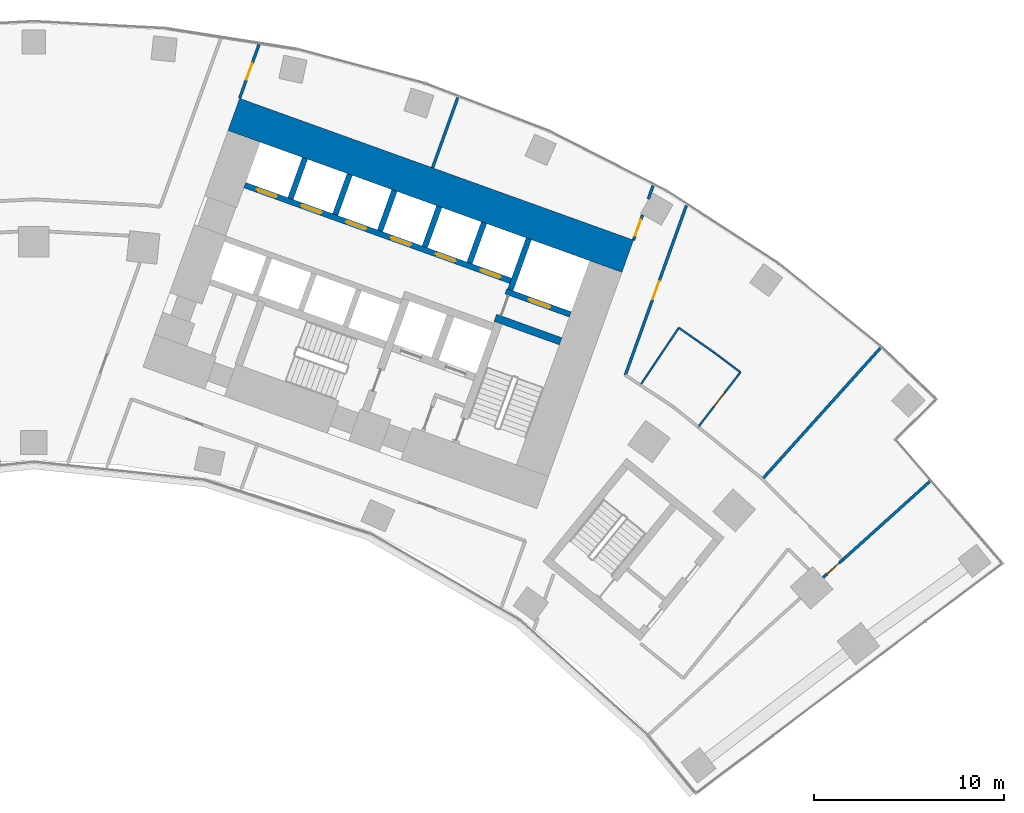
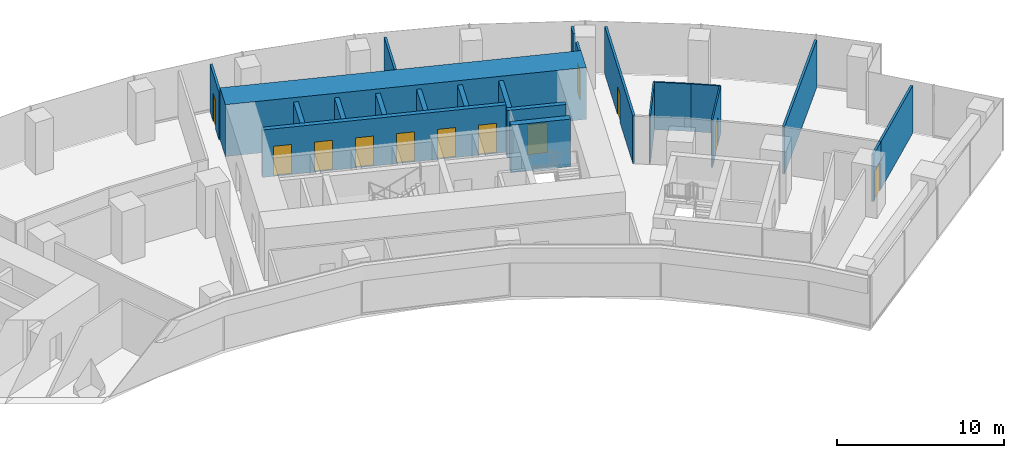
# One storey, part 18 of 21: 22 walls, 12 doors, 12 openings.
"""IFC4 building model written with IfcOpenShell, lengths in metres."""

from ifc_helpers import new_model, si_unit, direction, frame, frame_2d, origin, place, context, subcontext, project, spatial, rectangle, extrude, material, layer, layer_set, type_object, element, fill, save


model = new_model("IFC4")

# Units and contexts
model_context = context("Model", 3, precision=1e-05, world=origin(), true_north=direction((0.0, 1.0)))
body_context = subcontext(model_context, "Body", "Model", "MODEL_VIEW")
ifc_project = project(units=[si_unit("LENGTHUNIT", "METRE"), si_unit("AREAUNIT", "SQUARE_METRE"), si_unit("VOLUMEUNIT", "CUBIC_METRE"), si_unit("PLANEANGLEUNIT", "RADIAN"), si_unit("MASSUNIT", "GRAM", prefix="KILO")], contexts=[model_context])

# Site, building, storey
site_placement = place(None, origin())
site = spatial("IfcSite", under=ifc_project, at=site_placement, CompositionType="ELEMENT")
building_placement = place(site_placement, origin())
building = spatial("IfcBuilding", under=site, at=building_placement, Name="Stone Belt Terrace Tower", CompositionType="ELEMENT")
storey_placement = place(building_placement, frame((0.0, 0.0, 71.800048828125)))
storey = spatial("IfcBuildingStorey", under=building, at=storey_placement, Name="L17", CompositionType="ELEMENT", Elevation=71.800048828125)

# Wall
ifc_material_1 = material(Name="Concrete B80", Category="concrete")
ifc_layer_1 = layer(ifc_material_1, 1.800048828125)
ifc_layer_set_1 = layer_set([ifc_layer_1], Name="Core wall 1800 B80")
wall_type_1 = type_object("IfcWallType", Name="Core wall 1800 B80", PredefinedType="SHEAR", material=ifc_layer_set_1)
wall_1_placement = place(storey_placement, frame((10.509033203125, 61.685546875, 0.0), z_axis=(0.0, 0.0, 1.0), x_axis=(0.940922914687, -0.338620833112, 0.0)))
element("IfcWall", 1, at=wall_1_placement, inside=storey, type_object=wall_type_1, Name="Core B wall convex L17", PredefinedType="SHEAR", context=body_context, shape_type="SweptSolid", body=[
    extrude(rectangle(XDim=22.000244140625, YDim=1.800048828125, at=frame_2d((11.0, 0.0))), origin(), (0.0, 0.0, 1.0), 3.800048828125),
])

# Wall, opening, door
ifc_layer_2 = layer(ifc_material_1, 0.300048828125)
ifc_layer_set_2 = layer_set([ifc_layer_2], Name="Lift shaft wall 300")
wall_type_2 = type_object("IfcWallType", Name="Lift shaft wall 300", PredefinedType="SHEAR", material=ifc_layer_set_2)
wall_2_placement = place(storey_placement, frame((28.195068359375, 51.17578125, 0.0), z_axis=(0.0, 0.0, 1.0), x_axis=(-0.940901243567, 0.338681044427, 0.0)))
wall_2 = element("IfcWall", 2, at=wall_2_placement, inside=storey, type_object=wall_type_2, Name="Core B wall", PredefinedType="SHEAR", context=body_context, shape_type="SweptSolid", body=[
    extrude(rectangle(XDim=3.599853515625, YDim=0.300048828125, at=frame_2d((1.7998046875, 0.0))), origin(), (0.0, 0.0, 1.0), 3.47998046875),
])
opening_1_placement = place(wall_2_placement, frame((1.1201171875, 0.0, 0.0)))
opening_1 = element("IfcOpeningElement", 3, at=opening_1_placement, cuts=wall_2, Name="Opening L17-LD18", PredefinedType="OPENING", context=body_context, shape_type="SweptSolid", body=[
    extrude(rectangle(XDim=1.199951171875, YDim=2.199951171875, at=frame_2d((0.60009765625, 1.10009765625))), frame((0.0, 0.159912109375, 0.0), z_axis=(0.0, -1.0, 0.0), x_axis=(1.0, 0.0, 0.0)), (0.0, 0.0, 1.0), 0.320068359375),
])
ifc_material_2 = material(Name="Stainless steel door leaf", Category="steel")
door_type_1 = type_object("IfcDoorType", Name="Landing door 1200", OperationType="SLIDING_TO_LEFT", PredefinedType="DOOR", material=ifc_material_2)
door_1_placement = place(opening_1_placement, origin())
door_1 = element("IfcDoor", 4, at=door_1_placement, inside=storey, type_object=door_type_1, Name="Landing door SV1 core B", OperationType="SLIDING_TO_LEFT", OverallHeight=2.199951171875, OverallWidth=1.199951171875, PredefinedType="DOOR", context=body_context, shape_type="SweptSolid", body=[
    extrude(rectangle(XDim=1.199951171875, YDim=2.199951171875, at=frame_2d((0.60009765625, 1.10009765625))), frame((0.0, 0.02490234375, 0.0), z_axis=(0.0, -1.0, 0.0), x_axis=(1.0, 0.0, 0.0)), (0.0, 0.0, 1.0), 0.050048828125),
])
fill(opening_1, door_1)

# Wall
wall_3_placement = place(storey_placement, frame((25.046875, 52.46826171875, 0.0), z_axis=(0.0, 0.0, 1.0), x_axis=(0.338549588058, 0.940948551423, 0.0)))
element("IfcWall", 5, at=wall_3_placement, inside=storey, type_object=wall_type_2, Name="Core B wall", PredefinedType="SHEAR", context=body_context, shape_type="SweptSolid", body=[
    extrude(rectangle(XDim=2.849853515625, YDim=0.300048828125, at=frame_2d((1.4248046875, 0.0))), origin(), (0.0, 0.0, 1.0), 3.47998046875),
])

# Wall, openings, doors
wall_4_placement = place(storey_placement, frame((25.05810546875, 52.9423828125, 0.0), z_axis=(0.0, 0.0, 1.0), x_axis=(-0.940918215764, 0.338633889685, 0.0)))
wall_4 = element("IfcWall", 6, at=wall_4_placement, inside=storey, type_object=wall_type_2, Name="Core B wall", PredefinedType="SHEAR", context=body_context, shape_type="SweptSolid", body=[
    extrude(rectangle(XDim=14.850341796875, YDim=0.300048828125, at=frame_2d((7.42529296875, 0.0))), origin(), (0.0, 0.0, 1.0), 3.47998046875),
])
opening_2_placement = place(wall_4_placement, frame((0.570068359375, 0.0, 0.0)))
opening_2 = element("IfcOpeningElement", 7, at=opening_2_placement, cuts=wall_4, Name="Opening L17-LD10", PredefinedType="OPENING", context=body_context, shape_type="SweptSolid", body=[
    extrude(rectangle(XDim=1.10009765625, YDim=2.199951171875, at=frame_2d((0.550048828125, 1.10009765625))), frame((0.0, 0.159912109375, 0.0), z_axis=(0.0, -1.0, 0.0), x_axis=(1.0, 0.0, 0.0)), (0.0, 0.0, 1.0), 0.320068359375),
])
opening_3_placement = place(wall_4_placement, frame((3.070068359375, 0.0, 0.0)))
opening_3 = element("IfcOpeningElement", 8, at=opening_3_placement, cuts=wall_4, Name="Opening L17-LD11", PredefinedType="OPENING", context=body_context, shape_type="SweptSolid", body=[
    extrude(rectangle(XDim=1.10009765625, YDim=2.199951171875, at=frame_2d((0.550048828125, 1.10009765625))), frame((0.0, 0.159912109375, 0.0), z_axis=(0.0, -1.0, 0.0), x_axis=(1.0, 0.0, 0.0)), (0.0, 0.0, 1.0), 0.320068359375),
])
opening_4_placement = place(wall_4_placement, frame((5.570068359375, 0.0, 0.0)))
opening_4 = element("IfcOpeningElement", 9, at=opening_4_placement, cuts=wall_4, Name="Opening L17-LD12", PredefinedType="OPENING", context=body_context, shape_type="SweptSolid", body=[
    extrude(rectangle(XDim=1.10009765625, YDim=2.199951171875, at=frame_2d((0.550048828125, 1.10009765625))), frame((0.0, 0.159912109375, 0.0), z_axis=(0.0, -1.0, 0.0), x_axis=(1.0, 0.0, 0.0)), (0.0, 0.0, 1.0), 0.320068359375),
])
opening_5_placement = place(wall_4_placement, frame((8.070068359375, 0.0, 0.0)))
opening_5 = element("IfcOpeningElement", 10, at=opening_5_placement, cuts=wall_4, Name="Opening L17-LD13", PredefinedType="OPENING", context=body_context, shape_type="SweptSolid", body=[
    extrude(rectangle(XDim=1.10009765625, YDim=2.199951171875, at=frame_2d((0.550048828125, 1.10009765625))), frame((0.0, 0.159912109375, 0.0), z_axis=(0.0, -1.0, 0.0), x_axis=(1.0, 0.0, 0.0)), (0.0, 0.0, 1.0), 0.320068359375),
])
opening_6_placement = place(wall_4_placement, frame((10.570068359375, 0.0, 0.0)))
opening_6 = element("IfcOpeningElement", 11, at=opening_6_placement, cuts=wall_4, Name="Opening L17-LD14", PredefinedType="OPENING", context=body_context, shape_type="SweptSolid", body=[
    extrude(rectangle(XDim=1.10009765625, YDim=2.199951171875, at=frame_2d((0.550048828125, 1.10009765625))), frame((0.0, 0.159912109375, 0.0), z_axis=(0.0, -1.0, 0.0), x_axis=(1.0, 0.0, 0.0)), (0.0, 0.0, 1.0), 0.320068359375),
])
opening_7_placement = place(wall_4_placement, frame((13.070068359375, 0.0, 0.0)))
opening_7 = element("IfcOpeningElement", 12, at=opening_7_placement, cuts=wall_4, Name="Opening L17-LD15", PredefinedType="OPENING", context=body_context, shape_type="SweptSolid", body=[
    extrude(rectangle(XDim=1.10009765625, YDim=2.199951171875, at=frame_2d((0.550048828125, 1.10009765625))), frame((0.0, 0.159912109375, 0.0), z_axis=(0.0, -1.0, 0.0), x_axis=(1.0, 0.0, 0.0)), (0.0, 0.0, 1.0), 0.320068359375),
])
door_type_2 = type_object("IfcDoorType", Name="Landing door 1100", OperationType="SLIDING_TO_LEFT", PredefinedType="DOOR", material=ifc_material_2)
door_2_placement = place(opening_2_placement, origin())
door_2 = element("IfcDoor", 13, at=door_2_placement, inside=storey, type_object=door_type_2, Name="Landing door LR1 core B", OperationType="SLIDING_TO_LEFT", OverallHeight=2.199951171875, OverallWidth=1.10009765625, PredefinedType="DOOR", context=body_context, shape_type="SweptSolid", body=[
    extrude(rectangle(XDim=1.10009765625, YDim=2.199951171875, at=frame_2d((0.550048828125, 1.10009765625))), frame((0.0, 0.02490234375, 0.0), z_axis=(0.0, -1.0, 0.0), x_axis=(1.0, 0.0, 0.0)), (0.0, 0.0, 1.0), 0.050048828125),
])
fill(opening_2, door_2)
door_3_placement = place(opening_3_placement, origin())
door_3 = element("IfcDoor", 14, at=door_3_placement, inside=storey, type_object=door_type_2, Name="Landing door LR2 core B", OperationType="SLIDING_TO_LEFT", OverallHeight=2.199951171875, OverallWidth=1.10009765625, PredefinedType="DOOR", context=body_context, shape_type="SweptSolid", body=[
    extrude(rectangle(XDim=1.10009765625, YDim=2.199951171875, at=frame_2d((0.550048828125, 1.10009765625))), frame((0.0, 0.02490234375, 0.0), z_axis=(0.0, -1.0, 0.0), x_axis=(1.0, 0.0, 0.0)), (0.0, 0.0, 1.0), 0.050048828125),
])
fill(opening_3, door_3)
door_4_placement = place(opening_4_placement, origin())
door_4 = element("IfcDoor", 15, at=door_4_placement, inside=storey, type_object=door_type_2, Name="Landing door LR3 core B", OperationType="SLIDING_TO_LEFT", OverallHeight=2.199951171875, OverallWidth=1.10009765625, PredefinedType="DOOR", context=body_context, shape_type="SweptSolid", body=[
    extrude(rectangle(XDim=1.10009765625, YDim=2.199951171875, at=frame_2d((0.550048828125, 1.10009765625))), frame((0.0, 0.02490234375, 0.0), z_axis=(0.0, -1.0, 0.0), x_axis=(1.0, 0.0, 0.0)), (0.0, 0.0, 1.0), 0.050048828125),
])
fill(opening_4, door_4)
door_5_placement = place(opening_5_placement, origin())
door_5 = element("IfcDoor", 16, at=door_5_placement, inside=storey, type_object=door_type_2, Name="Landing door LR4 core B", OperationType="SLIDING_TO_LEFT", OverallHeight=2.199951171875, OverallWidth=1.10009765625, PredefinedType="DOOR", context=body_context, shape_type="SweptSolid", body=[
    extrude(rectangle(XDim=1.10009765625, YDim=2.199951171875, at=frame_2d((0.550048828125, 1.10009765625))), frame((0.0, 0.02490234375, 0.0), z_axis=(0.0, -1.0, 0.0), x_axis=(1.0, 0.0, 0.0)), (0.0, 0.0, 1.0), 0.050048828125),
])
fill(opening_5, door_5)
door_6_placement = place(opening_6_placement, origin())
door_6 = element("IfcDoor", 17, at=door_6_placement, inside=storey, type_object=door_type_2, Name="Landing door LR5 core B", OperationType="SLIDING_TO_LEFT", OverallHeight=2.199951171875, OverallWidth=1.10009765625, PredefinedType="DOOR", context=body_context, shape_type="SweptSolid", body=[
    extrude(rectangle(XDim=1.10009765625, YDim=2.199951171875, at=frame_2d((0.550048828125, 1.10009765625))), frame((0.0, 0.02490234375, 0.0), z_axis=(0.0, -1.0, 0.0), x_axis=(1.0, 0.0, 0.0)), (0.0, 0.0, 1.0), 0.050048828125),
])
fill(opening_6, door_6)
door_7_placement = place(opening_7_placement, origin())
door_7 = element("IfcDoor", 18, at=door_7_placement, inside=storey, type_object=door_type_2, Name="Landing door LR6 core B", OperationType="SLIDING_TO_LEFT", OverallHeight=2.199951171875, OverallWidth=1.10009765625, PredefinedType="DOOR", context=body_context, shape_type="SweptSolid", body=[
    extrude(rectangle(XDim=1.10009765625, YDim=2.199951171875, at=frame_2d((0.550048828125, 1.10009765625))), frame((0.0, 0.02490234375, 0.0), z_axis=(0.0, -1.0, 0.0), x_axis=(1.0, 0.0, 0.0)), (0.0, 0.0, 1.0), 0.050048828125),
])
fill(opening_7, door_7)

# Walls
wall_5_placement = place(storey_placement, frame((22.897705078125, 53.87939453125, 0.0), z_axis=(0.0, 0.0, 1.0), x_axis=(0.338535034312, 0.940953787677, 0.0)))
element("IfcWall", 19, at=wall_5_placement, inside=storey, type_object=wall_type_2, Name="Core B wall", PredefinedType="SHEAR", context=body_context, shape_type="SweptSolid", body=[
    extrude(rectangle(XDim=2.25, YDim=0.300048828125, at=frame_2d((1.125, 0.0))), origin(), (0.0, 0.0, 1.0), 3.47998046875),
])
wall_6_placement = place(storey_placement, frame((20.54541015625, 54.72607421875, 0.0), z_axis=(0.0, 0.0, 1.0), x_axis=(0.338569601369, 0.940941350472, 0.0)))
element("IfcWall", 20, at=wall_6_placement, inside=storey, type_object=wall_type_2, Name="Core B wall", PredefinedType="SHEAR", context=body_context, shape_type="SweptSolid", body=[
    extrude(rectangle(XDim=2.249755859375, YDim=0.300048828125, at=frame_2d((1.125, 0.0))), origin(), (0.0, 0.0, 1.0), 3.47998046875),
])
wall_7_placement = place(storey_placement, frame((18.193115234375, 55.572509765625, 0.0), z_axis=(0.0, 0.0, 1.0), x_axis=(0.338535034312, 0.940953787677, 0.0)))
element("IfcWall", 21, at=wall_7_placement, inside=storey, type_object=wall_type_2, Name="Core B wall", PredefinedType="SHEAR", context=body_context, shape_type="SweptSolid", body=[
    extrude(rectangle(XDim=2.25, YDim=0.300048828125, at=frame_2d((1.125, 0.0))), origin(), (0.0, 0.0, 1.0), 3.47998046875),
])
wall_8_placement = place(storey_placement, frame((15.8408203125, 56.419189453125, 0.0), z_axis=(0.0, 0.0, 1.0), x_axis=(0.338569601369, 0.940941350472, 0.0)))
element("IfcWall", 22, at=wall_8_placement, inside=storey, type_object=wall_type_2, Name="Core B wall", PredefinedType="SHEAR", context=body_context, shape_type="SweptSolid", body=[
    extrude(rectangle(XDim=2.249755859375, YDim=0.300048828125, at=frame_2d((1.125, 0.0))), origin(), (0.0, 0.0, 1.0), 3.47998046875),
])
wall_9_placement = place(storey_placement, frame((13.48828125, 57.265625, 0.0), z_axis=(0.0, 0.0, 1.0), x_axis=(0.338631098537, 0.940919220286, 0.0)))
element("IfcWall", 23, at=wall_9_placement, inside=storey, type_object=wall_type_2, Name="Core B wall", PredefinedType="SHEAR", context=body_context, shape_type="SweptSolid", body=[
    extrude(rectangle(XDim=2.250244140625, YDim=0.300048828125, at=frame_2d((1.125, 0.0))), origin(), (0.0, 0.0, 1.0), 3.47998046875),
])

# Wall, opening, door
ifc_material_3 = material(Name="Gypsum board partition")
ifc_layer_3 = layer(ifc_material_3, 0.10009765625)
ifc_layer_set_3 = layer_set([ifc_layer_3], Name="PARTITION 100")
wall_type_3 = type_object("IfcWallType", Name="PARTITION 100", PredefinedType="PARTITIONING", material=ifc_layer_set_3)
wall_10_placement = place(storey_placement, frame((34.9150390625, 45.260009765625, 0.0), z_axis=(0.0, 0.0, 1.0), x_axis=(0.610816683872, 0.791772049711, 0.0)))
wall_10 = element("IfcWall", 24, at=wall_10_placement, inside=storey, type_object=wall_type_3, Name="L17/wall/i070", PredefinedType="PARTITIONING", context=body_context, shape_type="SweptSolid", body=[
    extrude(rectangle(XDim=3.635986328125, YDim=0.10009765625, at=frame_2d((1.81787109375, 0.0))), origin(), (0.0, 0.0, 1.0), 3.47998046875),
])
opening_8_placement = place(wall_10_placement, frame((1.3681640625, 0.0, 0.0)))
opening_8 = element("IfcOpeningElement", 25, at=opening_8_placement, cuts=wall_10, Name="Opening D-A5-22", PredefinedType="OPENING", context=body_context, shape_type="SweptSolid", body=[
    extrude(rectangle(XDim=0.89990234375, YDim=2.10009765625, at=frame_2d((0.449951171875, 1.050048828125))), frame((0.0, 0.06005859375, 0.0), z_axis=(0.0, -1.0, 0.0), x_axis=(1.0, 0.0, 0.0)), (0.0, 0.0, 1.0), 0.1201171875),
])
ifc_material_4 = material(Name="Timber door leaf", Category="wood")
door_type_3 = type_object("IfcDoorType", Name="OFFICE DOOR 900 X 2100", OperationType="NOTDEFINED", PredefinedType="DOOR", material=ifc_material_4)
door_8_placement = place(opening_8_placement, origin())
door_8 = element("IfcDoor", 26, at=door_8_placement, inside=storey, type_object=door_type_3, Name="L17/door/i22", OperationType="SINGLE_SWING_RIGHT", OverallHeight=2.10009765625, OverallWidth=0.89990234375, PredefinedType="DOOR", context=body_context, shape_type="SweptSolid", body=[
    extrude(rectangle(XDim=0.89990234375, YDim=2.10009765625, at=frame_2d((0.449951171875, 1.050048828125))), frame((0.0, 0.02490234375, 0.0), z_axis=(0.0, -1.0, 0.0), x_axis=(1.0, 0.0, 0.0)), (0.0, 0.0, 1.0), 0.050048828125),
])
fill(opening_8, door_8)

# Walls
wall_11_placement = place(storey_placement, frame((37.135986328125, 48.138916015625, 0.0), z_axis=(0.0, 0.0, 1.0), x_axis=(-0.800502301886, 0.599329679455, 0.0)))
element("IfcWall", 27, at=wall_11_placement, inside=storey, type_object=wall_type_3, Name="L17/wall/i071", PredefinedType="PARTITIONING", context=body_context, shape_type="SweptSolid", body=[
    extrude(rectangle(XDim=1.748779296875, YDim=0.10009765625, at=frame_2d((0.87451171875, 0.0))), origin(), (0.0, 0.0, 1.0), 3.47998046875),
])
wall_12_placement = place(storey_placement, frame((35.736083984375, 49.18701171875, 0.0), z_axis=(0.0, 0.0, 1.0), x_axis=(-0.819829050149, 0.572608355276, 0.0)))
element("IfcWall", 28, at=wall_12_placement, inside=storey, type_object=wall_type_3, Name="L17/wall/i072", PredefinedType="PARTITIONING", context=body_context, shape_type="SweptSolid", body=[
    extrude(rectangle(XDim=2.24560546875, YDim=0.10009765625, at=frame_2d((1.122802734375, 0.0))), origin(), (0.0, 0.0, 1.0), 3.47998046875),
])
wall_13_placement = place(storey_placement, frame((33.89501953125, 50.472900390625, 0.0), z_axis=(0.0, 0.0, 1.0), x_axis=(-0.557402346669, -0.830242509107, 0.0)))
element("IfcWall", 29, at=wall_13_placement, inside=storey, type_object=wall_type_3, Name="L17/wall/i073", PredefinedType="PARTITIONING", context=body_context, shape_type="SweptSolid", body=[
    extrude(rectangle(XDim=3.6240234375, YDim=0.10009765625, at=frame_2d((1.81201171875, 0.0))), origin(), (0.0, 0.0, 1.0), 3.47998046875),
])

# Wall, opening, door
ifc_layer_4 = layer(ifc_material_3, 0.14990234375)
ifc_layer_set_4 = layer_set([ifc_layer_4], Name="PARTITION 150 EI 60")
wall_type_4 = type_object("IfcWallType", Name="PARTITION 150 EI 60", PredefinedType="PARTITIONING", material=ifc_layer_set_4)
wall_14_placement = place(storey_placement, frame((11.831787109375, 65.361083984375, 0.0), z_axis=(0.0, 0.0, 1.0), x_axis=(-0.338526810165, -0.940956746508, 0.0)))
wall_14 = element("IfcWall", 30, at=wall_14_placement, inside=storey, type_object=wall_type_4, Name="L17/wall/i018", PredefinedType="PARTITIONING", context=body_context, shape_type="SweptSolid", body=[
    extrude(rectangle(XDim=3.006591796875, YDim=0.14990234375, at=frame_2d((1.50341796875, 0.0))), origin(), (0.0, 0.0, 1.0), 3.47998046875),
])
opening_9_placement = place(wall_14_placement, frame((1.05322265625, 0.0, 0.0)))
opening_9 = element("IfcOpeningElement", 31, at=opening_9_placement, cuts=wall_14, Name="Opening D-A5-07", PredefinedType="OPENING", context=body_context, shape_type="SweptSolid", body=[
    extrude(rectangle(XDim=0.89990234375, YDim=2.10009765625, at=frame_2d((0.449951171875, 1.050048828125))), frame((0.0, 0.0849609375, 0.0), z_axis=(0.0, -1.0, 0.0), x_axis=(1.0, 0.0, 0.0)), (0.0, 0.0, 1.0), 0.169921875),
])
door_9_placement = place(opening_9_placement, origin())
door_9 = element("IfcDoor", 32, at=door_9_placement, inside=storey, type_object=door_type_3, Name="L17/door/i07", OperationType="SINGLE_SWING_RIGHT", OverallHeight=2.10009765625, OverallWidth=0.89990234375, PredefinedType="DOOR", context=body_context, shape_type="SweptSolid", body=[
    extrude(rectangle(XDim=0.89990234375, YDim=2.10009765625, at=frame_2d((0.449951171875, 1.050048828125))), frame((0.0, 0.02490234375, 0.0), z_axis=(0.0, -1.0, 0.0), x_axis=(1.0, 0.0, 0.0)), (0.0, 0.0, 1.0), 0.050048828125),
])
fill(opening_9, door_9)

wall_15_placement = place(storey_placement, frame((31.513916015625, 55.0830078125, 0.0), z_axis=(0.0, 0.0, 1.0), x_axis=(0.338861945182, 0.940836107995, 0.0)))
wall_15 = element("IfcWall", 33, at=wall_15_placement, inside=storey, type_object=wall_type_4, Name="L17/wall/i022", PredefinedType="PARTITIONING", context=body_context, shape_type="SweptSolid", body=[
    extrude(rectangle(XDim=1.3955078125, YDim=0.14990234375, at=frame_2d((0.69775390625, 0.0))), origin(), (0.0, 0.0, 1.0), 3.47998046875),
])
opening_10_placement = place(wall_15_placement, frame((0.247802734375, 0.0, 0.0)))
opening_10 = element("IfcOpeningElement", 34, at=opening_10_placement, cuts=wall_15, Name="Opening D-A5-08", PredefinedType="OPENING", context=body_context, shape_type="SweptSolid", body=[
    extrude(rectangle(XDim=0.89990234375, YDim=2.10009765625, at=frame_2d((0.449951171875, 1.050048828125))), frame((0.0, 0.0849609375, 0.0), z_axis=(0.0, -1.0, 0.0), x_axis=(1.0, 0.0, 0.0)), (0.0, 0.0, 1.0), 0.169921875),
])
door_10_placement = place(opening_10_placement, origin())
door_10 = element("IfcDoor", 35, at=door_10_placement, inside=storey, type_object=door_type_3, Name="L17/door/i08", OperationType="SINGLE_SWING_RIGHT", OverallHeight=2.10009765625, OverallWidth=0.89990234375, PredefinedType="DOOR", context=body_context, shape_type="SweptSolid", body=[
    extrude(rectangle(XDim=0.89990234375, YDim=2.10009765625, at=frame_2d((0.449951171875, 1.050048828125))), frame((0.0, 0.02490234375, 0.0), z_axis=(0.0, -1.0, 0.0), x_axis=(1.0, 0.0, 0.0)), (0.0, 0.0, 1.0), 0.050048828125),
])
fill(opening_10, door_10)

# Wall
wall_16_placement = place(storey_placement, frame((32.290283203125, 57.238525390625, 0.0), z_axis=(0.0, 0.0, 1.0), x_axis=(0.338960201827, 0.940800712998, 0.0)))
element("IfcWall", 36, at=wall_16_placement, inside=storey, type_object=wall_type_4, Name="L17/wall/i023", PredefinedType="PARTITIONING", context=body_context, shape_type="SweptSolid", body=[
    extrude(rectangle(XDim=0.754150390625, YDim=0.14990234375, at=frame_2d((0.376953125, 0.0))), origin(), (0.0, 0.0, 1.0), 3.47998046875),
])

# Wall, opening, door
wall_17_placement = place(storey_placement, frame((34.298095703125, 56.91015625, 0.0), z_axis=(0.0, 0.0, 1.0), x_axis=(-0.338747713831, -0.940877242989, 0.0)))
wall_17 = element("IfcWall", 37, at=wall_17_placement, inside=storey, type_object=wall_type_4, Name="L17/wall/i026", PredefinedType="PARTITIONING", context=body_context, shape_type="SweptSolid", body=[
    extrude(rectangle(XDim=9.48828125, YDim=0.14990234375, at=frame_2d((4.744140625, 0.0))), origin(), (0.0, 0.0, 1.0), 3.47998046875),
])
opening_11_placement = place(wall_17_placement, frame((4.243896484375, 0.0, 0.0)))
opening_11 = element("IfcOpeningElement", 38, at=opening_11_placement, cuts=wall_17, Name="Opening D-A5-21", PredefinedType="OPENING", context=body_context, shape_type="SweptSolid", body=[
    extrude(rectangle(XDim=1.0, YDim=2.10009765625, at=frame_2d((0.5, 1.050048828125))), frame((0.0, 0.0849609375, 0.0), z_axis=(0.0, -1.0, 0.0), x_axis=(1.0, 0.0, 0.0)), (0.0, 0.0, 1.0), 0.169921875),
])
ifc_material_5 = material(Name="Timber fire door leaf", Category="wood")
door_type_4 = type_object("IfcDoorType", Name="TENANCY ENTRANCE DOOR 1000 X 2100", OperationType="NOTDEFINED", PredefinedType="DOOR", material=ifc_material_5)
door_11_placement = place(opening_11_placement, origin())
door_11 = element("IfcDoor", 39, at=door_11_placement, inside=storey, type_object=door_type_4, Name="L17/door/i21", OperationType="SINGLE_SWING_RIGHT", OverallHeight=2.10009765625, OverallWidth=1.0, PredefinedType="DOOR", context=body_context, shape_type="SweptSolid", body=[
    extrude(rectangle(XDim=1.0, YDim=2.10009765625, at=frame_2d((0.5, 1.050048828125))), frame((0.0, 0.02490234375, 0.0), z_axis=(0.0, -1.0, 0.0), x_axis=(1.0, 0.0, 0.0)), (0.0, 0.0, 1.0), 0.050048828125),
])
fill(opening_11, door_11)

# Wall
wall_18_placement = place(storey_placement, frame((22.283935546875, 62.5791015625, 0.0), z_axis=(0.0, 0.0, 1.0), x_axis=(-0.338552193267, -0.940947614075, 0.0)))
element("IfcWall", 40, at=wall_18_placement, inside=storey, type_object=wall_type_4, Name="L17/wall/i030", PredefinedType="PARTITIONING", context=body_context, shape_type="SweptSolid", body=[
    extrude(rectangle(XDim=3.927978515625, YDim=0.14990234375, at=frame_2d((1.9638671875, 0.0))), origin(), (0.0, 0.0, 1.0), 3.47998046875),
])

# Wall, opening, door
wall_19_placement = place(storey_placement, frame((42.530029296875, 38.294921875, 0.0), z_axis=(0.0, 0.0, 1.0), x_axis=(-0.742938582599, -0.669359591316, 0.0)))
wall_19 = element("IfcWall", 41, at=wall_19_placement, inside=storey, type_object=wall_type_4, Name="L17/wall/i059", PredefinedType="PARTITIONING", context=body_context, shape_type="SweptSolid", body=[
    extrude(rectangle(XDim=1.400146484375, YDim=0.14990234375, at=frame_2d((0.7001953125, 0.0))), origin(), (0.0, 0.0, 1.0), 3.47998046875),
])
opening_12_placement = place(wall_19_placement, frame((0.250244140625, 0.0, 0.0)))
opening_12 = element("IfcOpeningElement", 42, at=opening_12_placement, cuts=wall_19, Name="Opening D-A5-19", PredefinedType="OPENING", context=body_context, shape_type="SweptSolid", body=[
    extrude(rectangle(XDim=0.89990234375, YDim=2.10009765625, at=frame_2d((0.449951171875, 1.050048828125))), frame((0.0, 0.0849609375, 0.0), z_axis=(0.0, -1.0, 0.0), x_axis=(1.0, 0.0, 0.0)), (0.0, 0.0, 1.0), 0.169921875),
])
door_type_5 = type_object("IfcDoorType", Name="TENANCY ENTRANCE DOOR 900 X 2100", OperationType="NOTDEFINED", PredefinedType="DOOR", material=ifc_material_5)
door_12_placement = place(opening_12_placement, origin())
door_12 = element("IfcDoor", 43, at=door_12_placement, inside=storey, type_object=door_type_5, Name="L17/door/i19", OperationType="SINGLE_SWING_RIGHT", OverallHeight=2.10009765625, OverallWidth=0.89990234375, PredefinedType="DOOR", context=body_context, shape_type="SweptSolid", body=[
    extrude(rectangle(XDim=0.89990234375, YDim=2.10009765625, at=frame_2d((0.449951171875, 1.050048828125))), frame((0.0, 0.02490234375, 0.0), z_axis=(0.0, -1.0, 0.0), x_axis=(1.0, 0.0, 0.0)), (0.0, 0.0, 1.0), 0.050048828125),
])
fill(opening_12, door_12)

# Walls
wall_20_placement = place(storey_placement, frame((42.52197265625, 38.287109375, 0.0), z_axis=(0.0, 0.0, 1.0), x_axis=(0.743096733758, 0.669184013765, 0.0)))
element("IfcWall", 44, at=wall_20_placement, inside=storey, type_object=wall_type_4, Name="L17/wall/i061", PredefinedType="PARTITIONING", context=body_context, shape_type="SweptSolid", body=[
    extrude(rectangle(XDim=6.150390625, YDim=0.14990234375, at=frame_2d((3.0751953125, 0.0))), origin(), (0.0, 0.0, 1.0), 3.47998046875),
])
wall_21_placement = place(storey_placement, frame((44.496826171875, 49.41943359375, 0.0), z_axis=(0.0, 0.0, 1.0), x_axis=(-0.669060704206, -0.743207759706, 0.0)))
element("IfcWall", 45, at=wall_21_placement, inside=storey, type_object=wall_type_4, Name="L17/wall/i074", PredefinedType="PARTITIONING", context=body_context, shape_type="SweptSolid", body=[
    extrude(rectangle(XDim=9.275390625, YDim=0.14990234375, at=frame_2d((4.6376953125, 0.0))), origin(), (0.0, 0.0, 1.0), 3.47998046875),
])
ifc_layer_5 = layer(ifc_material_1, 0.39990234375)
ifc_layer_set_5 = layer_set([ifc_layer_5], Name="Stair enclosure wall 400")
wall_type_5 = type_object("IfcWallType", Name="Stair enclosure wall 400", PredefinedType="SHEAR", material=ifc_layer_set_5)
wall_22_placement = place(storey_placement, frame((27.687255859375, 49.764404296875, 0.0), z_axis=(0.0, 0.0, 1.0), x_axis=(-0.940918954884, 0.338631835981, 0.0)))
element("IfcWall", 46, at=wall_22_placement, inside=storey, type_object=wall_type_5, Name="Core B wall", PredefinedType="SHEAR", context=body_context, shape_type="SweptSolid", body=[
    extrude(rectangle(XDim=3.650146484375, YDim=0.39990234375, at=frame_2d((1.8251953125, 0.0))), origin(), (0.0, 0.0, 1.0), 3.47998046875),
])

save(model, "model.ifc")
